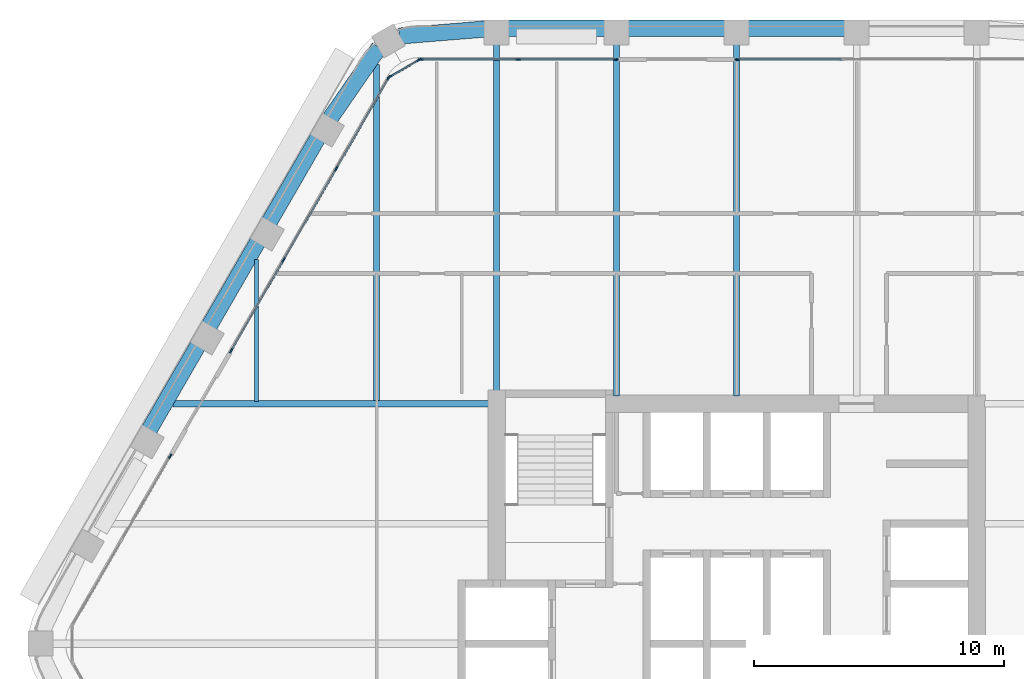
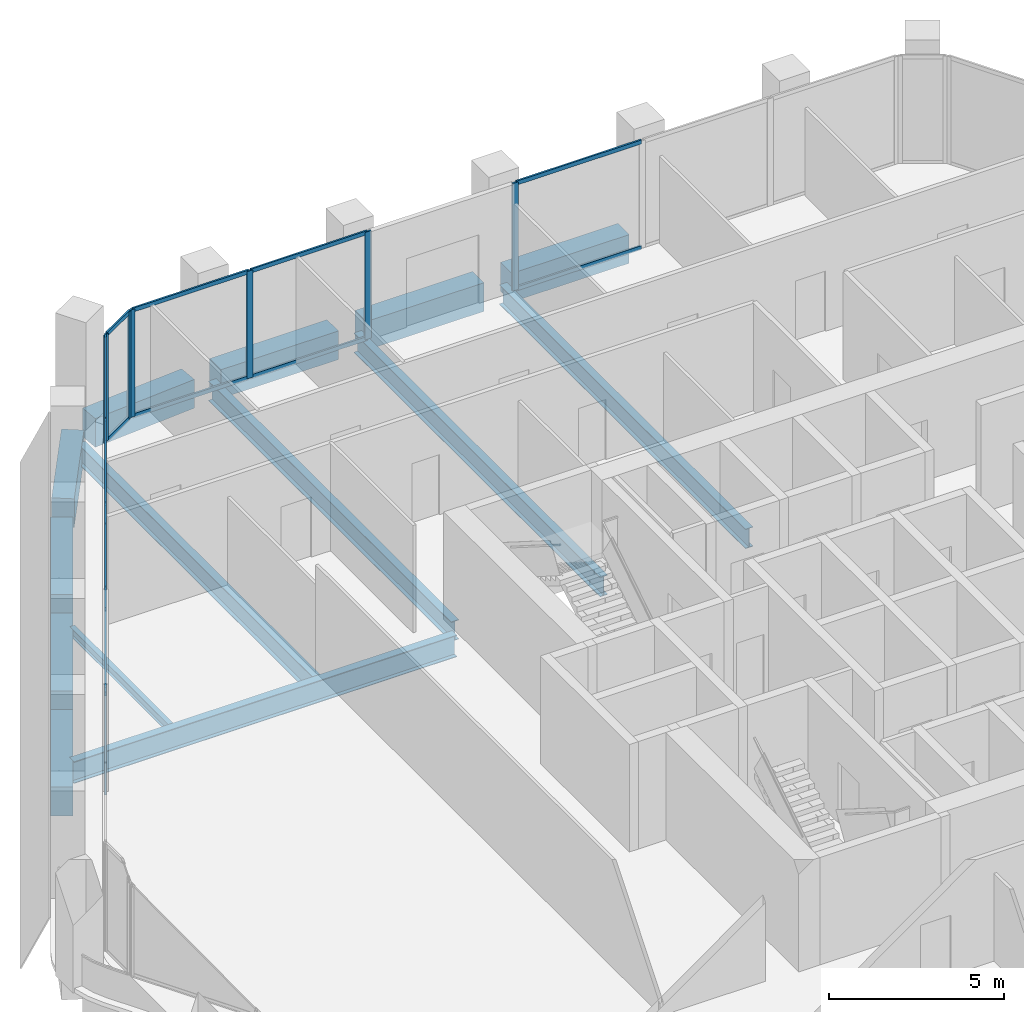
# One storey, part 5 of 15: 25 members, 14 beams, 5 elements without a shape of their own.
"""IFC4 building model written with IfcOpenShell, lengths in metres."""

from ifc_helpers import new_model, si_unit, direction, frame, origin, origin_2d, place, context, subcontext, project, spatial, rectangle, i_section, extrude, material, material_profile, profile_set, type_object, element, aggregate, save


model = new_model("IFC4")

# Units and contexts
model_context = context("Model", 3, precision=1e-05, world=origin(), true_north=direction((0.0, 1.0)))
body_context = subcontext(model_context, "Body", "Model", "MODEL_VIEW")
ifc_project = project(units=[si_unit("LENGTHUNIT", "METRE"), si_unit("AREAUNIT", "SQUARE_METRE"), si_unit("VOLUMEUNIT", "CUBIC_METRE"), si_unit("PLANEANGLEUNIT", "RADIAN"), si_unit("MASSUNIT", "GRAM", prefix="KILO")], contexts=[model_context])

# Site, building, storey
site_placement = place(None, origin())
site = spatial("IfcSite", under=ifc_project, at=site_placement, CompositionType="ELEMENT")
building_placement = place(site_placement, origin())
building = spatial("IfcBuilding", under=site, at=building_placement, Name="Kolab Exchange Tower", CompositionType="ELEMENT")
storey_placement = place(building_placement, frame((0.0, 0.0, 185.60009765625)))
storey = spatial("IfcBuildingStorey", under=building, at=storey_placement, Name="L39", CompositionType="ELEMENT", Elevation=185.60009765625)

# Beams
ifc_material_1 = material(Name="Steel S355", Category="steel")
ifc_material_profile_1 = material_profile(ifc_material_1, i_section(OverallWidth=0.1650390625, OverallDepth=0.31005859375, WebThickness=0.005859375, FlangeThickness=0.009765625, at=origin_2d()), Name="W310X39")
ifc_profile_set_1 = profile_set([ifc_material_profile_1], Name="Steel S355")
beam_type_1 = type_object("IfcBeamType", Name="FLOOR BEAM W310X39", PredefinedType="BEAM", material=ifc_profile_set_1)
beam_1_placement = place(storey_placement, frame((-19.199951171875, 9.693603515625, -0.30517578125), z_axis=(0.0, 1.0, 0.0), x_axis=(-1.0, 0.0, 0.0)))
element("IfcBeam", 1, at=beam_1_placement, inside=storey, type_object=beam_type_1, Name="beam/L39/fr/004", PredefinedType="BEAM", context=body_context, shape_type="SweptSolid", body=[
    extrude(i_section(OverallWidth=0.1650390625, OverallDepth=0.31005859375, WebThickness=0.005859375, FlangeThickness=0.009765625, at=origin_2d()), origin(), (0.0, 0.0, 1.0), 5.674072265625),
])
ifc_material_profile_2 = material_profile(ifc_material_1, i_section(OverallWidth=0.25390625, OverallDepth=0.68408203125, WebThickness=0.012451171875, FlangeThickness=0.018798828125, at=origin_2d()), Name="W690X140")
ifc_profile_set_2 = profile_set([ifc_material_profile_2], Name="Steel S355")
beam_type_2 = type_object("IfcBeamType", Name="FLOOR BEAM W690X140", PredefinedType="BEAM", material=ifc_profile_set_2)
beam_2_placement = place(storey_placement, frame((-14.39990234375, 9.693603515625, -0.4921875), z_axis=(0.0, 1.0, 0.0), x_axis=(-1.0, 0.0, 0.0)))
element("IfcBeam", 2, at=beam_2_placement, inside=storey, type_object=beam_type_2, Name="beam/L39/fr/006", PredefinedType="BEAM", context=body_context, shape_type="SweptSolid", body=[
    extrude(i_section(OverallWidth=0.25390625, OverallDepth=0.68408203125, WebThickness=0.012451171875, FlangeThickness=0.018798828125, at=origin_2d()), origin(), (0.0, 0.0, 1.0), 13.462158203125),
])
beam_3_placement = place(storey_placement, frame((-9.60009765625, 10.110107421875, -0.4921875), z_axis=(0.0, 1.0, 0.0), x_axis=(-1.0, 0.0, 0.0)))
element("IfcBeam", 3, at=beam_3_placement, inside=storey, type_object=beam_type_2, Name="beam/L39/fr/008", PredefinedType="BEAM", context=body_context, shape_type="SweptSolid", body=[
    extrude(i_section(OverallWidth=0.25390625, OverallDepth=0.68408203125, WebThickness=0.012451171875, FlangeThickness=0.018798828125, at=origin_2d()), origin(), (0.0, 0.0, 1.0), 13.871337890625),
])
for number, where, z_axis, x_axis, name in (
    (4, (-4.800048828125, 9.909912109375, -0.4921875), (0.0, 1.0, 0.0), (-1.0, 0.0, 0.0), "beam/L39/fr/010"),
    (5, (0.0, 9.909912109375, -0.4921875), (0.0, 1.0, 0.0), (-1.0, 0.0, 0.0), "beam/L39/fr/012"),
):
    element("IfcBeam", number, at=place(storey_placement, frame(where, z_axis=z_axis, x_axis=x_axis)), inside=storey, type_object=beam_type_2, Name=name, PredefinedType="BEAM", context=body_context, shape_type="SweptSolid", body=[
        extrude(i_section(OverallWidth=0.25390625, OverallDepth=0.68408203125, WebThickness=0.012451171875, FlangeThickness=0.018798828125, at=origin_2d()), origin(), (0.0, 0.0, 1.0), 14.071533203125),
    ])
ifc_material_profile_3 = material_profile(ifc_material_1, i_section(OverallWidth=0.26708984375, OverallDepth=0.761962890625, WebThickness=0.014404296875, FlangeThickness=0.021484375, at=origin_2d()), Name="W760X173")
ifc_profile_set_3 = profile_set([ifc_material_profile_3], Name="Steel S355")
beam_type_3 = type_object("IfcBeamType", Name="FLOOR GIRDER W760X173", PredefinedType="BEAM", material=ifc_profile_set_3)
beam_4_placement = place(storey_placement, frame((-22.546875, 9.60009765625, -0.531005859375), z_axis=(1.0, 0.0, 0.0), x_axis=(0.0, 1.0, 0.0)))
element("IfcBeam", 6, at=beam_4_placement, inside=storey, type_object=beam_type_3, Name="beam/L39/gd/001", PredefinedType="BEAM", context=body_context, shape_type="SweptSolid", body=[
    extrude(i_section(OverallWidth=0.26708984375, OverallDepth=0.761962890625, WebThickness=0.014404296875, FlangeThickness=0.021484375, at=origin_2d()), origin(), (0.0, 0.0, 1.0), 12.636962890625),
])
ifc_material_2 = material(Name="Concrete C60/75", Category="concrete")
ifc_material_profile_4 = material_profile(ifc_material_2, rectangle(XDim=0.64990234375, YDim=1.0, at=origin_2d()), Name="RC650X1000")
ifc_profile_set_4 = profile_set([ifc_material_profile_4], Name="Concrete C60/75")
beam_type_4 = type_object("IfcBeamType", Name="SPANDREL BEAM 650X1000 C60/75", PredefinedType="BEAM", material=ifc_profile_set_4)
beam_5_placement = place(storey_placement, frame((-13.493896484375, 24.2998046875, -0.650146484375), z_axis=(0.996708497182, 0.081068931445, 0.0), x_axis=(-0.081068931445, 0.996708497182, 0.0)))
element("IfcBeam", 7, at=beam_5_placement, inside=storey, type_object=beam_type_4, Name="beam/L39/sp/F1-01", PredefinedType="BEAM", context=body_context, shape_type="SweptSolid", body=[
    extrude(rectangle(XDim=0.64990234375, YDim=1.0, at=origin_2d()), origin(), (0.0, 0.0, 1.0), 3.445068359375),
])
beam_6_placement = place(storey_placement, frame((-9.139892578125, 24.616455078125, -0.650146484375), z_axis=(1.0, 0.0, 0.0), x_axis=(0.0, 1.0, 0.0)))
element("IfcBeam", 8, at=beam_6_placement, inside=storey, type_object=beam_type_4, Name="beam/L39/sp/F1-02", PredefinedType="BEAM", context=body_context, shape_type="SweptSolid", body=[
    extrude(rectangle(XDim=0.64990234375, YDim=1.0, at=origin_2d()), origin(), (0.0, 0.0, 1.0), 3.8798828125),
])
for number, where, z_axis, x_axis, name in (
    (9, (-4.340087890625, 24.616455078125, -0.650146484375), (1.0, 0.0, 0.0), (0.0, 1.0, 0.0), "beam/L39/sp/F1-03"),
    (10, (0.4599609375, 24.616455078125, -0.650146484375), (1.0, 0.0, 0.0), (0.0, 1.0, 0.0), "beam/L39/sp/F1-04"),
):
    element("IfcBeam", number, at=place(storey_placement, frame(where, z_axis=z_axis, x_axis=x_axis)), inside=storey, type_object=beam_type_4, Name=name, PredefinedType="BEAM", context=body_context, shape_type="SweptSolid", body=[
        extrude(rectangle(XDim=0.64990234375, YDim=1.0, at=origin_2d()), origin(), (0.0, 0.0, 1.0), 3.880126953125),
    ])
beam_7_placement = place(storey_placement, frame((-23.488525390625, 8.5498046875, -0.650146484375), z_axis=(0.499996613652, 0.866027358884, 0.0), x_axis=(-0.866027358884, 0.499996613652, 0.0)))
element("IfcBeam", 11, at=beam_7_placement, inside=storey, type_object=beam_type_4, Name="beam/L39/sp/F6-03", PredefinedType="BEAM", context=body_context, shape_type="SweptSolid", body=[
    extrude(rectangle(XDim=0.64990234375, YDim=1.0, at=origin_2d()), origin(), (0.0, 0.0, 1.0), 3.8798828125),
])
beam_8_placement = place(storey_placement, frame((-21.088623046875, 12.70654296875, -0.650146484375), z_axis=(0.50001655835, 0.866015843605, 0.0), x_axis=(-0.866015843605, 0.50001655835, 0.0)))
element("IfcBeam", 12, at=beam_8_placement, inside=storey, type_object=beam_type_4, Name="beam/L39/sp/F6-04", PredefinedType="BEAM", context=body_context, shape_type="SweptSolid", body=[
    extrude(rectangle(XDim=0.64990234375, YDim=1.0, at=origin_2d()), origin(), (0.0, 0.0, 1.0), 3.880126953125),
])
beam_9_placement = place(storey_placement, frame((-18.6884765625, 16.863525390625, -0.650146484375), z_axis=(0.499996613652, 0.866027358884, 0.0), x_axis=(-0.866027358884, 0.499996613652, 0.0)))
element("IfcBeam", 13, at=beam_9_placement, inside=storey, type_object=beam_type_4, Name="beam/L39/sp/F6-05", PredefinedType="BEAM", context=body_context, shape_type="SweptSolid", body=[
    extrude(rectangle(XDim=0.64990234375, YDim=1.0, at=origin_2d()), origin(), (0.0, 0.0, 1.0), 3.8798828125),
])
beam_10_placement = place(storey_placement, frame((-16.256103515625, 21.001953125, -0.650146484375), z_axis=(0.568572281073, 0.822633309073, 0.0), x_axis=(-0.822633309073, 0.568572281073, 0.0)))
element("IfcBeam", 14, at=beam_10_placement, inside=storey, type_object=beam_type_4, Name="beam/L39/sp/F6-06", PredefinedType="BEAM", context=body_context, shape_type="SweptSolid", body=[
    extrude(rectangle(XDim=0.64990234375, YDim=1.0, at=origin_2d()), origin(), (0.0, 0.0, 1.0), 3.445068359375),
])

# Curtain wall, members
ifc_material_3 = material(Name="Aluminium EN AW-6063 T6", Category="aluminium")
curtain_wall_type = type_object("IfcCurtainWallType", Name="UNITISED UPPER MID ZONE CURTAIN WALL", PredefinedType="NOTDEFINED", material=ifc_material_3)
curtain_wall_1_placement = place(storey_placement, origin())
curtain_wall_1 = element("IfcCurtainWall", 15, at=curtain_wall_1_placement, inside=storey, type_object=curtain_wall_type, Name="cw/L39/F1-1", PredefinedType="NOTDEFINED")
ifc_material_profile_5 = material_profile(ifc_material_3, rectangle(XDim=0.06005859375, YDim=0.199951171875, at=origin_2d()), Name="RECT 60X200")
ifc_profile_set_5 = profile_set([ifc_material_profile_5], Name="Aluminium EN AW-6063 T6")
member_type_1 = type_object("IfcMemberType", Name="UNITISED UPPER MID ZONE MULLION 60 X 200", PredefinedType="MULLION", material=ifc_profile_set_5)
member_1_placement = place(storey_placement, frame((-12.637939453125, 23.361572265625, 0.0), z_axis=(0.0, 0.0, 1.0), x_axis=(0.0, 1.0, 0.0)))
member_1 = element("IfcMember", 16, at=member_1_placement, type_object=member_type_1, Name="CW3 mullion 1", PredefinedType="MULLION", context=body_context, shape_type="SweptSolid", body=[
    extrude(rectangle(XDim=0.06005859375, YDim=0.199951171875, at=origin_2d()), origin(), (0.0, 0.0, 1.0), 3.75),
])
member_2_placement = place(storey_placement, frame((-8.73388671875, 23.361572265625, 0.0), z_axis=(0.0, 0.0, 1.0), x_axis=(0.0, 1.0, 0.0)))
member_2 = element("IfcMember", 17, at=member_2_placement, type_object=member_type_1, Name="CW3 mullion 2", PredefinedType="MULLION", context=body_context, shape_type="SweptSolid", body=[
    extrude(rectangle(XDim=0.06005859375, YDim=0.199951171875, at=origin_2d()), origin(), (0.0, 0.0, 1.0), 3.75),
])
member_3_placement = place(storey_placement, frame((-4.830078125, 23.361572265625, 0.0), z_axis=(0.0, 0.0, 1.0), x_axis=(0.0, 1.0, 0.0)))
member_3 = element("IfcMember", 18, at=member_3_placement, type_object=member_type_1, Name="CW3 mullion 3", PredefinedType="MULLION", context=body_context, shape_type="SweptSolid", body=[
    extrude(rectangle(XDim=0.06005859375, YDim=0.199951171875, at=origin_2d()), origin(), (0.0, 0.0, 1.0), 3.75),
])

# Curtain wall, member
curtain_wall_2_placement = place(storey_placement, origin())
curtain_wall_2 = element("IfcCurtainWall", 19, at=curtain_wall_2_placement, inside=storey, type_object=curtain_wall_type, Name="cw/L39/F1-2", PredefinedType="NOTDEFINED")
member_4_placement = place(storey_placement, frame((0.030029296875, 23.361572265625, 0.0), z_axis=(0.0, 0.0, 1.0), x_axis=(0.0, 1.0, 0.0)))
member_4 = element("IfcMember", 20, at=member_4_placement, type_object=member_type_1, Name="CW3 mullion 1", PredefinedType="MULLION", context=body_context, shape_type="SweptSolid", body=[
    extrude(rectangle(XDim=0.06005859375, YDim=0.199951171875, at=origin_2d()), origin(), (0.0, 0.0, 1.0), 3.75),
])

curtain_wall_3_placement = place(storey_placement, origin())
curtain_wall_3 = element("IfcCurtainWall", 21, at=curtain_wall_3_placement, inside=storey, type_object=curtain_wall_type, Name="cw/L39/F6-1", PredefinedType="NOTDEFINED")
member_5_placement = place(storey_placement, frame((-22.646728515625, 7.497802734375, 0.0), z_axis=(0.0, 0.0, 1.0), x_axis=(-0.866025440524, 0.499999936366, 0.0)))
member_5 = element("IfcMember", 22, at=member_5_placement, type_object=member_type_1, Name="CW3 mullion 3", PredefinedType="MULLION", context=body_context, shape_type="SweptSolid", body=[
    extrude(rectangle(XDim=0.06005859375, YDim=0.199951171875, at=origin_2d()), origin(), (0.0, 0.0, 1.0), 3.75),
])
aggregate(curtain_wall_3, [member_5])

# Curtain wall, members
curtain_wall_4_placement = place(storey_placement, origin())
curtain_wall_4 = element("IfcCurtainWall", 23, at=curtain_wall_4_placement, inside=storey, type_object=curtain_wall_type, Name="cw/L39/F6-2", PredefinedType="NOTDEFINED")
member_6_placement = place(storey_placement, frame((-20.216796875, 11.706787109375, 0.0), z_axis=(0.0, 0.0, 1.0), x_axis=(-0.866025393644, 0.500000017564, 0.0)))
member_6 = element("IfcMember", 24, at=member_6_placement, type_object=member_type_1, Name="CW3 mullion 1", PredefinedType="MULLION", context=body_context, shape_type="SweptSolid", body=[
    extrude(rectangle(XDim=0.06005859375, YDim=0.199951171875, at=origin_2d()), origin(), (0.0, 0.0, 1.0), 3.75),
])
member_7_placement = place(storey_placement, frame((-18.120361328125, 15.337646484375, 0.0), z_axis=(0.0, 0.0, 1.0), x_axis=(-0.866025393644, 0.500000017564, 0.0)))
member_7 = element("IfcMember", 25, at=member_7_placement, type_object=member_type_1, Name="CW3 mullion 2", PredefinedType="MULLION", context=body_context, shape_type="SweptSolid", body=[
    extrude(rectangle(XDim=0.06005859375, YDim=0.199951171875, at=origin_2d()), origin(), (0.0, 0.0, 1.0), 3.75),
])
member_8_placement = place(storey_placement, frame((-16.009033203125, 18.99462890625, 0.0), z_axis=(0.0, 0.0, 1.0), x_axis=(-0.866025393644, 0.500000017564, 0.0)))
member_8 = element("IfcMember", 26, at=member_8_placement, type_object=member_type_1, Name="CW3 mullion 3", PredefinedType="MULLION", context=body_context, shape_type="SweptSolid", body=[
    extrude(rectangle(XDim=0.06005859375, YDim=0.199951171875, at=origin_2d()), origin(), (0.0, 0.0, 1.0), 3.75),
])
member_9_placement = place(storey_placement, frame((-13.91259765625, 22.62548828125, 0.0), z_axis=(0.0, 0.0, 1.0), x_axis=(-0.866025393644, 0.500000017564, 0.0)))
member_9 = element("IfcMember", 27, at=member_9_placement, type_object=member_type_1, Name="CW3 mullion 4", PredefinedType="MULLION", context=body_context, shape_type="SweptSolid", body=[
    extrude(rectangle(XDim=0.06005859375, YDim=0.199951171875, at=origin_2d()), origin(), (0.0, 0.0, 1.0), 3.75),
])

curtain_wall_5_placement = place(storey_placement, origin())
curtain_wall_5 = element("IfcCurtainWall", 28, at=curtain_wall_5_placement, inside=storey, type_object=curtain_wall_type, Name="cw/L39/F6F1-corner", PredefinedType="NOTDEFINED")
member_10_placement = place(storey_placement, frame((-13.871826171875, 22.66650390625, 0.0), z_axis=(0.0, 0.0, 1.0), x_axis=(-0.50000002237, 0.866025390869, 0.0)))
member_10 = element("IfcMember", 29, at=member_10_placement, type_object=member_type_1, Name="CW3 mullion 1", PredefinedType="MULLION", context=body_context, shape_type="SweptSolid", body=[
    extrude(rectangle(XDim=0.06005859375, YDim=0.199951171875, at=origin_2d()), origin(), (0.0, 0.0, 1.0), 3.75),
])
member_11_placement = place(storey_placement, frame((-12.69384765625, 23.346435546875, 0.0), z_axis=(0.0, 0.0, 1.0), x_axis=(-0.50000002237, 0.866025390869, 0.0)))
member_11 = element("IfcMember", 30, at=member_11_placement, type_object=member_type_1, Name="CW3 mullion 2", PredefinedType="MULLION", context=body_context, shape_type="SweptSolid", body=[
    extrude(rectangle(XDim=0.06005859375, YDim=0.199951171875, at=origin_2d()), origin(), (0.0, 0.0, 1.0), 3.75),
])

# Member
ifc_material_profile_6 = material_profile(ifc_material_3, rectangle(XDim=0.06005859375, YDim=0.139892578125, at=origin_2d()), Name="RECT 60X140")
ifc_profile_set_6 = profile_set([ifc_material_profile_6], Name="Aluminium EN AW-6063 T6")
member_type_2 = type_object("IfcMemberType", Name="UNITISED UPPER MID ZONE TRANSOM 60 X 140", PredefinedType="USERDEFINED", material=ifc_profile_set_6)
member_12_placement = place(storey_placement, frame((-12.60791015625, 23.361572265625, 0.02978515625), z_axis=(1.0, 0.0, 0.0), x_axis=(0.0, 1.0, 0.0)))
member_12 = element("IfcMember", 31, at=member_12_placement, type_object=member_type_2, Name="CW3 transom 1.1", ObjectType="TRANSOM", PredefinedType="USERDEFINED", context=body_context, shape_type="SweptSolid", body=[
    extrude(rectangle(XDim=0.06005859375, YDim=0.139892578125, at=origin_2d()), origin(), (0.0, 0.0, 1.0), 3.843994140625),
])

member_13_placement = place(storey_placement, frame((-12.60791015625, 23.361572265625, 3.719970703125), z_axis=(1.0, 0.0, 0.0), x_axis=(0.0, 1.0, 0.0)))
member_13 = element("IfcMember", 32, at=member_13_placement, type_object=member_type_2, Name="CW3 transom 1.2", ObjectType="TRANSOM", PredefinedType="USERDEFINED", context=body_context, shape_type="SweptSolid", body=[
    extrude(rectangle(XDim=0.06005859375, YDim=0.139892578125, at=origin_2d()), origin(), (0.0, 0.0, 1.0), 3.843994140625),
])

member_14_placement = place(storey_placement, frame((-8.703857421875, 23.361572265625, 0.02978515625), z_axis=(1.0, 0.0, 0.0), x_axis=(0.0, 1.0, 0.0)))
member_14 = element("IfcMember", 33, at=member_14_placement, type_object=member_type_2, Name="CW3 transom 2.1", ObjectType="TRANSOM", PredefinedType="USERDEFINED", context=body_context, shape_type="SweptSolid", body=[
    extrude(rectangle(XDim=0.06005859375, YDim=0.139892578125, at=origin_2d()), origin(), (0.0, 0.0, 1.0), 3.84375),
])

member_15_placement = place(storey_placement, frame((-8.703857421875, 23.361572265625, 3.719970703125), z_axis=(1.0, 0.0, 0.0), x_axis=(0.0, 1.0, 0.0)))
member_15 = element("IfcMember", 34, at=member_15_placement, type_object=member_type_2, Name="CW3 transom 2.2", ObjectType="TRANSOM", PredefinedType="USERDEFINED", context=body_context, shape_type="SweptSolid", body=[
    extrude(rectangle(XDim=0.06005859375, YDim=0.139892578125, at=origin_2d()), origin(), (0.0, 0.0, 1.0), 3.84375),
])

aggregate(curtain_wall_1, [member_1, member_2, member_3, member_12, member_13, member_14, member_15])

member_16_placement = place(storey_placement, frame((0.06005859375, 23.361572265625, 0.02978515625), z_axis=(1.0, 0.0, 0.0), x_axis=(0.0, 1.0, 0.0)))
member_16 = element("IfcMember", 35, at=member_16_placement, type_object=member_type_2, Name="CW3 transom 1.1", ObjectType="TRANSOM", PredefinedType="USERDEFINED", context=body_context, shape_type="SweptSolid", body=[
    extrude(rectangle(XDim=0.06005859375, YDim=0.139892578125, at=origin_2d()), origin(), (0.0, 0.0, 1.0), 4.132568359375),
])

member_17_placement = place(storey_placement, frame((0.06005859375, 23.361572265625, 3.719970703125), z_axis=(1.0, 0.0, 0.0), x_axis=(0.0, 1.0, 0.0)))
member_17 = element("IfcMember", 36, at=member_17_placement, type_object=member_type_2, Name="CW3 transom 1.2", ObjectType="TRANSOM", PredefinedType="USERDEFINED", context=body_context, shape_type="SweptSolid", body=[
    extrude(rectangle(XDim=0.06005859375, YDim=0.139892578125, at=origin_2d()), origin(), (0.0, 0.0, 1.0), 4.132568359375),
])

aggregate(curtain_wall_2, [member_4, member_16, member_17])

member_18_placement = place(storey_placement, frame((-20.20166015625, 11.732666015625, 0.02978515625), z_axis=(0.500001996123, 0.866024251319, 0.0), x_axis=(-0.866024251319, 0.500001996123, 0.0)))
member_18 = element("IfcMember", 37, at=member_18_placement, type_object=member_type_2, Name="CW3 transom 1.1", ObjectType="TRANSOM", PredefinedType="USERDEFINED", context=body_context, shape_type="SweptSolid", body=[
    extrude(rectangle(XDim=0.06005859375, YDim=0.139892578125, at=origin_2d()), origin(), (0.0, 0.0, 1.0), 4.1328125),
])

member_19_placement = place(storey_placement, frame((-20.20166015625, 11.732666015625, 3.719970703125), z_axis=(0.500001996123, 0.866024251319, 0.0), x_axis=(-0.866024251319, 0.500001996123, 0.0)))
member_19 = element("IfcMember", 38, at=member_19_placement, type_object=member_type_2, Name="CW3 transom 1.2", ObjectType="TRANSOM", PredefinedType="USERDEFINED", context=body_context, shape_type="SweptSolid", body=[
    extrude(rectangle(XDim=0.06005859375, YDim=0.139892578125, at=origin_2d()), origin(), (0.0, 0.0, 1.0), 4.1328125),
])

member_20_placement = place(storey_placement, frame((-18.10546875, 15.36376953125, 0.02978515625), z_axis=(0.500037208726, 0.86600392025, 0.0), x_axis=(-0.86600392025, 0.500037208726, 0.0)))
member_20 = element("IfcMember", 39, at=member_20_placement, type_object=member_type_2, Name="CW3 transom 2.1", ObjectType="TRANSOM", PredefinedType="USERDEFINED", context=body_context, shape_type="SweptSolid", body=[
    extrude(rectangle(XDim=0.06005859375, YDim=0.139892578125, at=origin_2d()), origin(), (0.0, 0.0, 1.0), 4.162841796875),
])

member_21_placement = place(storey_placement, frame((-18.10546875, 15.36376953125, 3.719970703125), z_axis=(0.500037208726, 0.86600392025, 0.0), x_axis=(-0.86600392025, 0.500037208726, 0.0)))
member_21 = element("IfcMember", 40, at=member_21_placement, type_object=member_type_2, Name="CW3 transom 2.2", ObjectType="TRANSOM", PredefinedType="USERDEFINED", context=body_context, shape_type="SweptSolid", body=[
    extrude(rectangle(XDim=0.06005859375, YDim=0.139892578125, at=origin_2d()), origin(), (0.0, 0.0, 1.0), 4.162841796875),
])

member_22_placement = place(storey_placement, frame((-15.994140625, 19.0205078125, 0.02978515625), z_axis=(0.500001996123, 0.866024251319, 0.0), x_axis=(-0.866024251319, 0.500001996123, 0.0)))
member_22 = element("IfcMember", 41, at=member_22_placement, type_object=member_type_2, Name="CW3 transom 3.1", ObjectType="TRANSOM", PredefinedType="USERDEFINED", context=body_context, shape_type="SweptSolid", body=[
    extrude(rectangle(XDim=0.06005859375, YDim=0.139892578125, at=origin_2d()), origin(), (0.0, 0.0, 1.0), 4.1328125),
])

member_23_placement = place(storey_placement, frame((-15.994140625, 19.0205078125, 3.719970703125), z_axis=(0.500001996123, 0.866024251319, 0.0), x_axis=(-0.866024251319, 0.500001996123, 0.0)))
member_23 = element("IfcMember", 42, at=member_23_placement, type_object=member_type_2, Name="CW3 transom 3.2", ObjectType="TRANSOM", PredefinedType="USERDEFINED", context=body_context, shape_type="SweptSolid", body=[
    extrude(rectangle(XDim=0.06005859375, YDim=0.139892578125, at=origin_2d()), origin(), (0.0, 0.0, 1.0), 4.1328125),
])

aggregate(curtain_wall_4, [member_6, member_7, member_8, member_9, member_18, member_19, member_20, member_21, member_22, member_23])

member_24_placement = place(storey_placement, frame((-13.845703125, 22.681640625, 0.02978515625), z_axis=(0.86603858612, 0.49997716683, 0.0), x_axis=(-0.49997716683, 0.86603858612, 0.0)))
member_24 = element("IfcMember", 43, at=member_24_placement, type_object=member_type_2, Name="CW3 transom 1.1", ObjectType="TRANSOM", PredefinedType="USERDEFINED", context=body_context, shape_type="SweptSolid", body=[
    extrude(rectangle(XDim=0.06005859375, YDim=0.139892578125, at=origin_2d()), origin(), (0.0, 0.0, 1.0), 1.2998046875),
])

member_25_placement = place(storey_placement, frame((-13.845703125, 22.681640625, 3.719970703125), z_axis=(0.86603858612, 0.49997716683, 0.0), x_axis=(-0.49997716683, 0.86603858612, 0.0)))
member_25 = element("IfcMember", 44, at=member_25_placement, type_object=member_type_2, Name="CW3 transom 1.2", ObjectType="TRANSOM", PredefinedType="USERDEFINED", context=body_context, shape_type="SweptSolid", body=[
    extrude(rectangle(XDim=0.06005859375, YDim=0.139892578125, at=origin_2d()), origin(), (0.0, 0.0, 1.0), 1.2998046875),
])

aggregate(curtain_wall_5, [member_10, member_11, member_24, member_25])

save(model, "model.ifc")
